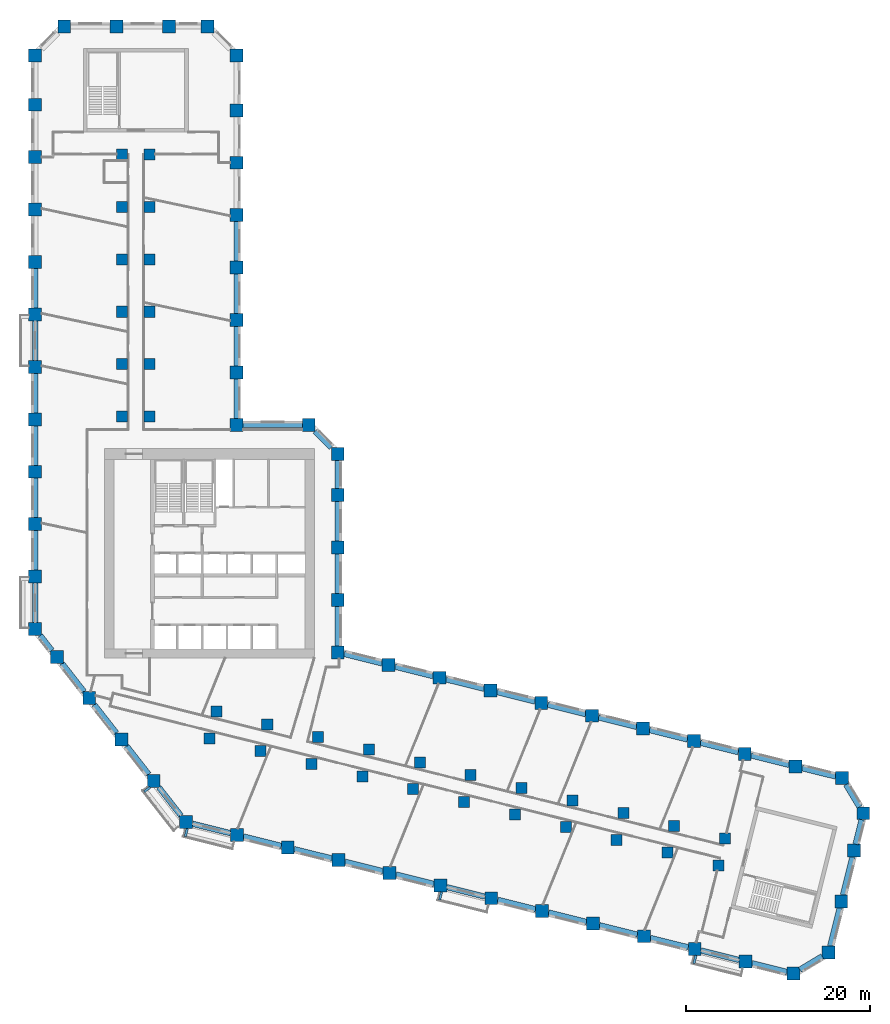
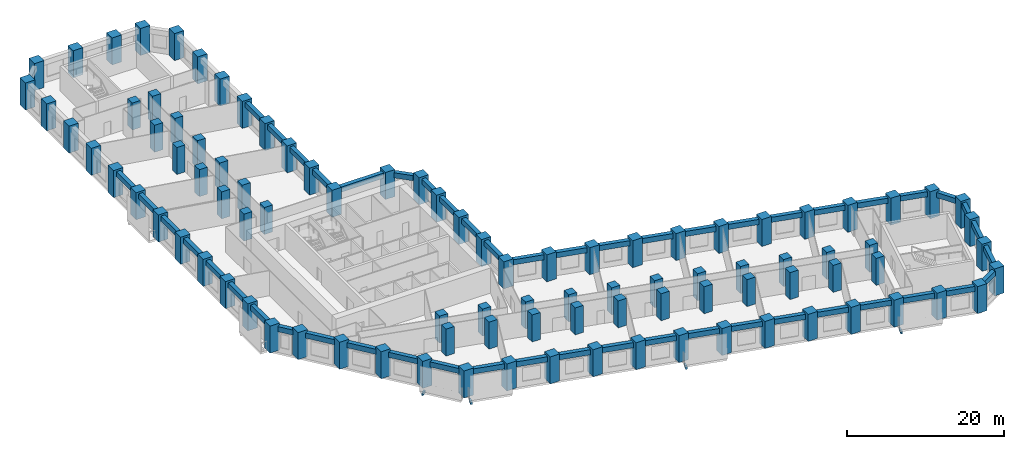
# One storey, part 1 of 11: 95 columns, 53 beams.
"""IFC4 building model written with IfcOpenShell, lengths in metres."""

import ifcopenshell
import ifcopenshell.guid

model = None  # the IFC model being written
_history = None  # IfcOwnerHistory: only IFC2X3 demands one
_inside = {}  # id of a spatial element -> (the spatial element, [elements in it])
_under = {}  # id of a project, library or spatial element -> (it, [spatial elements below it])
_declared = {}  # id of a project -> (the project, [libraries it declares])
_typed = {}  # id of a type object -> (the type object, [elements of that type])
_made_of = {}  # id of a material, layer set ... -> (it, [elements and type objects made of it])


def new_model(schema):
    """Start an empty IFC model of exactly this schema.

    Asked for "IFC4X3", IfcOpenShell would pick the latest addendum, in which some entities
    have other attributes; the version numbers below select the first issue.
    IFC2X3 requires an IfcOwnerHistory on every rooted entity: one is made here for all.
    """
    global model, _history
    if schema == "IFC4X3":
        model = ifcopenshell.file(schema_version=(4, 3, 0, 0))
    else:
        model = ifcopenshell.file(schema=schema)
    _inside.clear()
    _under.clear()
    _declared.clear()
    _typed.clear()
    _made_of.clear()
    _history = None
    if model.schema == "IFC2X3":
        org = make("IfcOrganization", Name="unknown")
        user = make(
            "IfcPersonAndOrganization",
            ThePerson=make("IfcPerson", FamilyName="unknown"),
            TheOrganization=org,
        )
        app = make(
            "IfcApplication",
            ApplicationDeveloper=org,
            Version="unknown",
            ApplicationFullName="unknown",
            ApplicationIdentifier="unknown",
        )
        _history = make(
            "IfcOwnerHistory",
            OwningUser=user,
            OwningApplication=app,
            ChangeAction="ADDED",
            CreationDate=0,
        )
    return model


def make(cls, **values):
    """One entity of the class cls with the attributes given. An attribute that is None is left unset."""
    return model.create_entity(
        cls, **{name: value for name, value in values.items() if value is not None}
    )


def rooted(cls, **values):
    """An entity with a GlobalId (a new one), such as an element, a storey or a relation."""
    return make(cls, GlobalId=ifcopenshell.guid.new(), OwnerHistory=_history, **values)


def si_unit(unit_type, name, prefix=None):
    """IfcSIUnit, for example si_unit("LENGTHUNIT", "METRE", prefix="MILLI")."""
    return make("IfcSIUnit", UnitType=unit_type, Prefix=prefix, Name=name)


def assignment(units):
    """IfcUnitAssignment: the units of a project."""
    return None if units is None else make("IfcUnitAssignment", Units=units)


def point(xyz):
    """IfcCartesianPoint."""
    return None if xyz is None else make("IfcCartesianPoint", Coordinates=xyz)


def direction(xyz):
    """IfcDirection."""
    return None if xyz is None else make("IfcDirection", DirectionRatios=xyz)


def frame(location, z_axis=None, x_axis=None):
    """IfcAxis2Placement3D, a coordinate frame: its origin and axes. An axis left out is left unset."""
    return make(
        "IfcAxis2Placement3D",
        Location=point(location),
        Axis=direction(z_axis),
        RefDirection=direction(x_axis),
    )


def frame_2d(location, x_axis=None):
    """IfcAxis2Placement2D, a coordinate frame in the plane: its origin and x axis."""
    return make(
        "IfcAxis2Placement2D", Location=point(location), RefDirection=direction(x_axis)
    )


def origin():
    """The frame at (0, 0, 0) with its axes left unset."""
    return frame((0.0, 0.0, 0.0))


def origin_2d():
    """The frame at (0, 0) in the plane with its x axis left unset."""
    return frame_2d((0.0, 0.0))


def place(relative_to, where):
    """IfcLocalPlacement: puts the frame where relative to a parent placement (None: the world)."""
    return make(
        "IfcLocalPlacement", PlacementRelTo=relative_to, RelativePlacement=where
    )


def context(
    kind, dimensions, precision=None, world=None, true_north=None, identifier=None
):
    """IfcGeometricRepresentationContext, for example the 3D "Model" context."""
    return make(
        "IfcGeometricRepresentationContext",
        ContextIdentifier=identifier,
        ContextType=kind,
        CoordinateSpaceDimension=dimensions,
        Precision=precision,
        WorldCoordinateSystem=world,
        TrueNorth=true_north,
    )


def subcontext(parent, identifier, kind, view, scale=None):
    """IfcGeometricRepresentationSubContext, for example "Body" below "Model"."""
    return make(
        "IfcGeometricRepresentationSubContext",
        ContextIdentifier=identifier,
        ContextType=kind,
        ParentContext=parent,
        TargetScale=scale,
        TargetView=view,
    )


def project(units=None, contexts=None):
    """IfcProject with its units and contexts."""
    return rooted(
        "IfcProject",
        Name="project",
        RepresentationContexts=contexts,
        UnitsInContext=assignment(units),
    )


def spatial(cls, under=None, at=None, **own):
    """A site, building, storey or space (cls), placed at a placement, below another one or the project."""
    s = rooted(cls, ObjectPlacement=at, **own)
    if under is not None:
        _under.setdefault(under.id(), (under, []))[1].append(s)
    return s


def profile(cls, at=None, kind="AREA", **sizes):
    """A parametric profile (cls). Its sizes go by their IFC names, for example OverallWidth=200.0."""
    return make(cls, ProfileType=kind, Position=at, **sizes)


def rectangle(**sizes):
    """IfcRectangleProfileDef."""
    return profile("IfcRectangleProfileDef", **sizes)


def extrude(swept, where, along, depth):
    """IfcExtrudedAreaSolid: the profile swept, set in the frame where, extruded along a direction by depth."""
    return make(
        "IfcExtrudedAreaSolid",
        SweptArea=swept,
        Position=where,
        ExtrudedDirection=direction(along),
        Depth=depth,
    )


def shape(context_of_items, identifier, shape_type, items):
    """IfcShapeRepresentation: the items that make up one representation, for example the "Body"."""
    return make(
        "IfcShapeRepresentation",
        ContextOfItems=context_of_items,
        RepresentationIdentifier=identifier,
        RepresentationType=shape_type,
        Items=items,
    )


def material(Name=None, Category=None):
    """IfcMaterial."""
    return make("IfcMaterial", Name=Name, Category=Category)


def material_profile(
    of_material, cross_section, Name=None, Category=None, Priority=None
):
    """IfcMaterialProfile: a cross section and its material."""
    return make(
        "IfcMaterialProfile",
        Name=Name,
        Material=of_material,
        Profile=cross_section,
        Priority=Priority,
        Category=Category,
    )


def profile_set(profiles, Name=None, composite=None):
    """IfcMaterialProfileSet."""
    return make(
        "IfcMaterialProfileSet",
        Name=Name,
        MaterialProfiles=profiles,
        CompositeProfile=composite,
    )


def made_of(thing, what):
    """Note that an element or type object is made of a material, layer set ...; save() writes the relation."""
    if what is not None:
        _made_of.setdefault(what.id(), (what, []))[1].append(thing)
    return thing


def type_object(cls, material=None, **own):
    """A type object (cls), such as IfcWallType, which elements share."""
    return made_of(rooted(cls, **own), material)


def element(
    cls,
    number,
    at=None,
    inside=None,
    cuts=None,
    type_object=None,
    material=None,
    context=None,
    identifier="Body",
    shape_type=None,
    held_by="IfcProductDefinitionShape",
    body=None,
    shapes=None,
    **own,
):
    """One element of the class cls, such as IfcWall. Its Tag is "e" and its number.

    at: its placement. inside: the storey or other place that contains it. cuts: it is an
    opening in that element (IfcRelVoidsElement). A single representation is given by context,
    identifier, shape_type and body (its items); several are given by shapes. held_by: the class
    of the entity that holds the representations. save() writes the other relations.
    """
    e = rooted(cls, Tag="e%d" % number, ObjectPlacement=at, **own)
    if body is not None:
        shapes = [shape(context, identifier, shape_type, body)]
    if shapes is not None:
        e.Representation = make(held_by, Representations=shapes)
    if inside is not None:
        _inside.setdefault(inside.id(), (inside, []))[1].append(e)
    if cuts is not None:
        rooted(
            "IfcRelVoidsElement", RelatingBuildingElement=cuts, RelatedOpeningElement=e
        )
    if type_object is not None:
        _typed.setdefault(type_object.id(), (type_object, []))[1].append(e)
    return made_of(e, material)


def aggregate(whole, parts):
    """IfcRelAggregates: a whole, such as a stair, and the parts it consists of."""
    return rooted("IfcRelAggregates", RelatingObject=whole, RelatedObjects=parts)


def save(model, path):
    """Write the relations noted so far, then the file.

    IfcRelAggregates (storeys below a building ...), IfcRelContainedInSpatialStructure (elements
    in a storey), IfcRelDefinesByType, IfcRelAssociatesMaterial and IfcRelDeclares: one each for
    every whole, place, type object, material and project.
    """
    for whole, parts in _under.values():
        aggregate(whole, parts)
    for where, things in _inside.values():
        rooted(
            "IfcRelContainedInSpatialStructure",
            RelatedElements=things,
            RelatingStructure=where,
        )
    for kind, things in _typed.values():
        rooted("IfcRelDefinesByType", RelatedObjects=things, RelatingType=kind)
    for what, things in _made_of.values():
        rooted("IfcRelAssociatesMaterial", RelatedObjects=things, RelatingMaterial=what)
    for by, libraries in _declared.values():
        rooted("IfcRelDeclares", RelatingContext=by, RelatedDefinitions=libraries)
    model.write(path)


model = new_model("IFC4")

# Units and contexts
model_context = context("Model", 3, precision=1e-05, world=origin(), true_north=direction((0.0, 1.0)))
body_context = subcontext(model_context, "Body", "Model", "MODEL_VIEW")
ifc_project = project(units=[si_unit("LENGTHUNIT", "METRE"), si_unit("AREAUNIT", "SQUARE_METRE"), si_unit("VOLUMEUNIT", "CUBIC_METRE"), si_unit("PLANEANGLEUNIT", "RADIAN"), si_unit("MASSUNIT", "GRAM", prefix="KILO")], contexts=[model_context])

# Site, building, storey
site_placement = place(None, origin())
site = spatial("IfcSite", under=ifc_project, at=site_placement, CompositionType="ELEMENT")
building_placement = place(site_placement, origin())
building = spatial("IfcBuilding", under=site, at=building_placement, Name="Meshkara Civic Tower", CompositionType="ELEMENT")
storey_placement = place(building_placement, frame((0.0, 0.0, 37.199951171875)))
storey = spatial("IfcBuildingStorey", under=building, at=storey_placement, Name="L07", CompositionType="ELEMENT", Elevation=37.199951171875)

# Columns
ifc_material_1 = material(Name="Concrete C80", Category="concrete")
ifc_material_profile_1 = material_profile(ifc_material_1, rectangle(XDim=1.199951171875, YDim=1.199951171875, at=origin_2d()))
ifc_profile_set_1 = profile_set([ifc_material_profile_1], Name="Concrete C80")
column_type_1 = type_object("IfcColumnType", Name="Interior column RC 1200x1200 C80", PredefinedType="COLUMN", material=ifc_profile_set_1)
for number, where, z_axis, x_axis, name in (
    (1, (9.89990234375, 40.35009765625, 0.0), (0.0, 0.0, 1.0), (1.0, 0.0, 0.0), "Column SA1-04 L07"),
    (2, (9.89990234375, 46.050048828125, 0.0), (0.0, 0.0, 1.0), (1.0, 0.0, 0.0), "Column SA1-05 L07"),
    (3, (9.89990234375, 51.75, 0.0), (0.0, 0.0, 1.0), (1.0, 0.0, 0.0), "Column SA1-06 L07"),
    (4, (9.89990234375, 57.449951171875, 0.0), (0.0, 0.0, 1.0), (1.0, 0.0, 0.0), "Column SA1-07 L07"),
    (5, (9.89990234375, 63.14990234375, 0.0), (0.0, 0.0, 1.0), (1.0, 0.0, 0.0), "Column SA1-08 L07"),
    (6, (9.89990234375, 68.85009765625, 0.0), (0.0, 0.0, 1.0), (1.0, 0.0, 0.0), "Column SA1-09 L07"),
    (7, (12.89990234375, 40.35009765625, 0.0), (0.0, 0.0, 1.0), (1.0, 0.0, 0.0), "Column SA2-04 L07"),
    (8, (12.89990234375, 46.050048828125, 0.0), (0.0, 0.0, 1.0), (1.0, 0.0, 0.0), "Column SA2-05 L07"),
    (9, (12.89990234375, 51.75, 0.0), (0.0, 0.0, 1.0), (1.0, 0.0, 0.0), "Column SA2-06 L07"),
    (10, (12.89990234375, 57.449951171875, 0.0), (0.0, 0.0, 1.0), (1.0, 0.0, 0.0), "Column SA2-07 L07"),
    (11, (12.89990234375, 63.14990234375, 0.0), (0.0, 0.0, 1.0), (1.0, 0.0, 0.0), "Column SA2-08 L07"),
    (12, (12.89990234375, 68.85009765625, 0.0), (0.0, 0.0, 1.0), (1.0, 0.0, 0.0), "Column SA2-09 L07"),
    (13, (19.424072265625, 5.360107421875, 0.0), (0.0, 0.0, 1.0), (1.0, 0.0, 0.0), "Column SB1-00 L07"),
    (14, (24.9541015625, 3.98095703125, 0.0), (0.0, 0.0, 1.0), (1.0, 0.0, 0.0), "Column SB1-01 L07"),
    (15, (30.485107421875, 2.60205078125, 0.0), (0.0, 0.0, 1.0), (1.0, 0.0, 0.0), "Column SB1-02 L07"),
    (16, (36.01611328125, 1.222900390625, 0.0), (0.0, 0.0, 1.0), (1.0, 0.0, 0.0), "Column SB1-03 L07"),
    (17, (41.5458984375, -0.156005859375, 0.0), (0.0, 0.0, 1.0), (1.0, 0.0, 0.0), "Column SB1-04 L07"),
    (18, (47.076904296875, -1.534912109375, 0.0), (0.0, 0.0, 1.0), (1.0, 0.0, 0.0), "Column SB1-05 L07"),
    (19, (52.60791015625, -2.9140625, 0.0), (0.0, 0.0, 1.0), (1.0, 0.0, 0.0), "Column SB1-06 L07"),
    (20, (58.138916015625, -4.2919921875, 0.0), (0.0, 0.0, 1.0), (1.0, 0.0, 0.0), "Column SB1-07 L07"),
    (21, (63.6689453125, -5.6708984375, 0.0), (0.0, 0.0, 1.0), (1.0, 0.0, 0.0), "Column SB1-08 L07"),
    (22, (69.199951171875, -7.050048828125, 0.0), (0.0, 0.0, 1.0), (1.0, 0.0, 0.0), "Column SB1-09 L07"),
    (23, (74.73095703125, -8.428955078125, 0.0), (0.0, 0.0, 1.0), (1.0, 0.0, 0.0), "Column SB1-10 L07"),
    (24, (20.14892578125, 8.27099609375, 0.0), (0.0, 0.0, 1.0), (1.0, 0.0, 0.0), "Column SB2-00 L07"),
    (25, (25.679931640625, 6.89208984375, 0.0), (0.0, 0.0, 1.0), (1.0, 0.0, 0.0), "Column SB2-01 L07"),
    (26, (31.2109375, 5.512939453125, 0.0), (0.0, 0.0, 1.0), (1.0, 0.0, 0.0), "Column SB2-02 L07"),
    (27, (36.741943359375, 4.134033203125, 0.0), (0.0, 0.0, 1.0), (1.0, 0.0, 0.0), "Column SB2-03 L07"),
    (28, (42.27197265625, 2.7548828125, 0.0), (0.0, 0.0, 1.0), (1.0, 0.0, 0.0), "Column SB2-04 L07"),
    (29, (47.802978515625, 1.3759765625, 0.0), (0.0, 0.0, 1.0), (1.0, 0.0, 0.0), "Column SB2-05 L07"),
    (30, (53.333984375, -0.0029296875, 0.0), (0.0, 0.0, 1.0), (1.0, 0.0, 0.0), "Column SB2-06 L07"),
    (31, (58.864013671875, -1.382080078125, 0.0), (0.0, 0.0, 1.0), (1.0, 0.0, 0.0), "Column SB2-07 L07"),
    (32, (64.39501953125, -2.760986328125, 0.0), (0.0, 0.0, 1.0), (1.0, 0.0, 0.0), "Column SB2-08 L07"),
    (33, (69.926025390625, -4.139892578125, 0.0), (0.0, 0.0, 1.0), (1.0, 0.0, 0.0), "Column SB2-09 L07"),
    (34, (75.4560546875, -5.51806640625, 0.0), (0.0, 0.0, 1.0), (1.0, 0.0, 0.0), "Column SB2-10 L07"),
):
    element("IfcColumn", number, at=place(storey_placement, frame(where, z_axis=z_axis, x_axis=x_axis)), inside=storey, type_object=column_type_1, Name=name, PredefinedType="COLUMN", context=body_context, shape_type="SweptSolid", body=[
        extrude(rectangle(XDim=1.199951171875, YDim=1.199951171875, at=origin_2d()), origin(), (0.0, 0.0, 1.0), 4.199951171875),
    ])
ifc_material_2 = material(Name="Concrete C80", Category="concrete")
ifc_material_profile_2 = material_profile(ifc_material_2, rectangle(XDim=1.39990234375, YDim=1.39990234375, at=origin_2d()))
ifc_profile_set_2 = profile_set([ifc_material_profile_2], Name="Concrete C80")
column_type_2 = type_object("IfcColumnType", Name="Perimeter column RC 1400x1400 C80", PredefinedType="COLUMN", material=ifc_profile_set_2)
for number, where, z_axis, x_axis, name in (
    (35, (33.35009765625, 14.718994140625, 0.0), (0.0, 0.0, 1.0), (1.0, 0.0, 0.0), "Column HE00 L07"),
    (36, (33.35009765625, 20.4189453125, 0.0), (0.0, 0.0, 1.0), (1.0, 0.0, 0.0), "Column HE01 L07"),
    (37, (33.35009765625, 26.118896484375, 0.0), (0.0, 0.0, 1.0), (1.0, 0.0, 0.0), "Column HE02 L07"),
    (38, (33.35009765625, 31.819091796875, 0.0), (0.0, 0.0, 1.0), (1.0, 0.0, 0.0), "Column HE03 L07"),
    (39, (33.35009765625, 36.2939453125, 0.0), (0.0, 0.0, 1.0), (1.0, 0.0, 0.0), "Column HEE L07"),
    (40, (30.194091796875, 39.449951171875, 0.0), (0.0, 0.0, 1.0), (1.0, 0.0, 0.0), "Column HCeE L07"),
    (41, (22.35009765625, 39.449951171875, 0.0), (0.0, 0.0, 1.0), (1.0, 0.0, 0.0), "Column HN00 L07"),
    (42, (22.35009765625, 45.14990234375, 0.0), (0.0, 0.0, 1.0), (1.0, 0.0, 0.0), "Column AE01 L07"),
    (43, (22.35009765625, 50.85009765625, 0.0), (0.0, 0.0, 1.0), (1.0, 0.0, 0.0), "Column AE02 L07"),
    (44, (22.35009765625, 56.550048828125, 0.0), (0.0, 0.0, 1.0), (1.0, 0.0, 0.0), "Column AE03 L07"),
    (45, (22.35009765625, 62.25, 0.0), (0.0, 0.0, 1.0), (1.0, 0.0, 0.0), "Column AE04 L07"),
    (46, (22.35009765625, 67.949951171875, 0.0), (0.0, 0.0, 1.0), (1.0, 0.0, 0.0), "Column AE05 L07"),
    (47, (22.35009765625, 73.64990234375, 0.0), (0.0, 0.0, 1.0), (1.0, 0.0, 0.0), "Column AE06 L07"),
    (48, (22.35009765625, 79.614013671875, 0.0), (0.0, 0.0, 1.0), (1.0, 0.0, 0.0), "Column AEE L07"),
    (49, (19.194091796875, 82.77001953125, 0.0), (0.0, 0.0, 1.0), (1.0, 0.0, 0.0), "Column ATiE L07"),
    (50, (3.60595703125, 82.77001953125, 0.0), (0.0, 0.0, 1.0), (1.0, 0.0, 0.0), "Column AT00 L07"),
    (51, (9.305908203125, 82.77001953125, 0.0), (0.0, 0.0, 1.0), (1.0, 0.0, 0.0), "Column AT01 L07"),
    (52, (15.006103515625, 82.77001953125, 0.0), (0.0, 0.0, 1.0), (1.0, 0.0, 0.0), "Column AT02 L07"),
    (53, (0.449951171875, 79.614013671875, 0.0), (0.0, 0.0, 1.0), (1.0, 0.0, 0.0), "Column ATo00 L07"),
    (54, (0.449951171875, 17.2548828125, 0.0), (0.0, 0.0, 1.0), (1.0, 0.0, 0.0), "Column AW00 L07"),
    (55, (0.449951171875, 22.955078125, 0.0), (0.0, 0.0, 1.0), (1.0, 0.0, 0.0), "Column AW01 L07"),
    (56, (0.449951171875, 28.655029296875, 0.0), (0.0, 0.0, 1.0), (1.0, 0.0, 0.0), "Column AW02 L07"),
    (57, (0.449951171875, 34.35498046875, 0.0), (0.0, 0.0, 1.0), (1.0, 0.0, 0.0), "Column AW03 L07"),
    (58, (0.449951171875, 40.054931640625, 0.0), (0.0, 0.0, 1.0), (1.0, 0.0, 0.0), "Column AW04 L07"),
    (59, (0.449951171875, 45.7548828125, 0.0), (0.0, 0.0, 1.0), (1.0, 0.0, 0.0), "Column AW05 L07"),
    (60, (0.449951171875, 51.455078125, 0.0), (0.0, 0.0, 1.0), (1.0, 0.0, 0.0), "Column AW06 L07"),
    (61, (0.449951171875, 57.155029296875, 0.0), (0.0, 0.0, 1.0), (1.0, 0.0, 0.0), "Column AW07 L07"),
    (62, (0.449951171875, 62.85498046875, 0.0), (0.0, 0.0, 1.0), (1.0, 0.0, 0.0), "Column AW08 L07"),
    (63, (0.449951171875, 68.554931640625, 0.0), (0.0, 0.0, 1.0), (1.0, 0.0, 0.0), "Column AW09 L07"),
    (64, (0.449951171875, 74.2548828125, 0.0), (0.0, 0.0, 1.0), (1.0, 0.0, 0.0), "Column AW10 L07"),
    (65, (16.85107421875, -3.738037109375, 0.0), (0.0, 0.0, 1.0), (1.0, 0.0, 0.0), "Column BOW00 L07"),
    (66, (13.342041015625, 0.75390625, 0.0), (0.0, 0.0, 1.0), (1.0, 0.0, 0.0), "Column BOW01 L07"),
    (67, (9.8330078125, 5.2451171875, 0.0), (0.0, 0.0, 1.0), (1.0, 0.0, 0.0), "Column BOW02 L07"),
    (68, (6.322998046875, 9.737060546875, 0.0), (0.0, 0.0, 1.0), (1.0, 0.0, 0.0), "Column BOW03 L07"),
    (69, (2.81396484375, 14.22900390625, 0.0), (0.0, 0.0, 1.0), (1.0, 0.0, 0.0), "Column BOW04 L07"),
    (70, (22.382080078125, -5.116943359375, 0.0), (0.0, 0.0, 1.0), (1.0, 0.0, 0.0), "Column BS01 L07"),
    (71, (27.912109375, -6.49609375, 0.0), (0.0, 0.0, 1.0), (1.0, 0.0, 0.0), "Column BS02 L07"),
    (72, (33.443115234375, -7.875, 0.0), (0.0, 0.0, 1.0), (1.0, 0.0, 0.0), "Column BS03 L07"),
    (73, (38.97412109375, -9.25390625, 0.0), (0.0, 0.0, 1.0), (1.0, 0.0, 0.0), "Column BS04 L07"),
    (74, (44.5048828125, -10.632080078125, 0.0), (0.0, 0.0, 1.0), (1.0, 0.0, 0.0), "Column BS05 L07"),
    (75, (50.034912109375, -12.010986328125, 0.0), (0.0, 0.0, 1.0), (1.0, 0.0, 0.0), "Column BS06 L07"),
    (76, (55.56591796875, -13.389892578125, 0.0), (0.0, 0.0, 1.0), (1.0, 0.0, 0.0), "Column BS07 L07"),
    (77, (61.096923828125, -14.76904296875, 0.0), (0.0, 0.0, 1.0), (1.0, 0.0, 0.0), "Column BS08 L07"),
    (78, (66.626953125, -16.14794921875, 0.0), (0.0, 0.0, 1.0), (1.0, 0.0, 0.0), "Column BS09 L07"),
    (79, (72.157958984375, -17.527099609375, 0.0), (0.0, 0.0, 1.0), (1.0, 0.0, 0.0), "Column BS10 L07"),
    (80, (77.68896484375, -18.906005859375, 0.0), (0.0, 0.0, 1.0), (1.0, 0.0, 0.0), "Column BS11 L07"),
    (81, (82.887939453125, -20.201904296875, 0.0), (0.0, 0.0, 1.0), (1.0, 0.0, 0.0), "Column BSE L07"),
    (82, (86.714111328125, -17.903076171875, 0.0), (0.0, 0.0, 1.0), (1.0, 0.0, 0.0), "Column BToE L07"),
    (83, (88.093017578125, -12.3720703125, 0.0), (0.0, 0.0, 1.0), (1.0, 0.0, 0.0), "Column BT01 L07"),
    (84, (89.471923828125, -6.842041015625, 0.0), (0.0, 0.0, 1.0), (1.0, 0.0, 0.0), "Column BT02 L07"),
    (85, (90.485107421875, -2.779052734375, 0.0), (0.0, 0.0, 1.0), (1.0, 0.0, 0.0), "Column BTE L07"),
    (86, (88.18603515625, 1.0458984375, 0.0), (0.0, 0.0, 1.0), (1.0, 0.0, 0.0), "Column BTi00 L07"),
    (87, (38.881103515625, 13.340087890625, 0.0), (0.0, 0.0, 1.0), (1.0, 0.0, 0.0), "Column BN01 L07"),
    (88, (44.410888671875, 11.9609375, 0.0), (0.0, 0.0, 1.0), (1.0, 0.0, 0.0), "Column BN02 L07"),
    (89, (49.94189453125, 10.58203125, 0.0), (0.0, 0.0, 1.0), (1.0, 0.0, 0.0), "Column BN03 L07"),
    (90, (55.472900390625, 9.202880859375, 0.0), (0.0, 0.0, 1.0), (1.0, 0.0, 0.0), "Column BN04 L07"),
    (91, (61.0029296875, 7.823974609375, 0.0), (0.0, 0.0, 1.0), (1.0, 0.0, 0.0), "Column BN05 L07"),
    (92, (66.533935546875, 6.445068359375, 0.0), (0.0, 0.0, 1.0), (1.0, 0.0, 0.0), "Column BN06 L07"),
    (93, (72.06494140625, 5.06591796875, 0.0), (0.0, 0.0, 1.0), (1.0, 0.0, 0.0), "Column BN07 L07"),
    (94, (77.594970703125, 3.68701171875, 0.0), (0.0, 0.0, 1.0), (1.0, 0.0, 0.0), "Column BN08 L07"),
    (95, (83.1259765625, 2.30810546875, 0.0), (0.0, 0.0, 1.0), (1.0, 0.0, 0.0), "Column BN09 L07"),
):
    element("IfcColumn", number, at=place(storey_placement, frame(where, z_axis=z_axis, x_axis=x_axis)), inside=storey, type_object=column_type_2, Name=name, PredefinedType="COLUMN", context=body_context, shape_type="SweptSolid", body=[
        extrude(rectangle(XDim=1.39990234375, YDim=1.39990234375, at=origin_2d()), origin(), (0.0, 0.0, 1.0), 4.199951171875),
    ])

# Beams
ifc_material_3 = material(Name="Concrete C50", Category="concrete")
ifc_material_profile_3 = material_profile(ifc_material_3, rectangle(XDim=0.25, YDim=0.39990234375, at=origin_2d()))
ifc_profile_set_3 = profile_set([ifc_material_profile_3], Name="Concrete C50")
beam_type_1 = type_object("IfcBeamType", Name="Balcony bracket beam RC 250x400 C50", PredefinedType="BEAM", material=ifc_profile_set_3)
beam_1_placement = place(storey_placement, frame((12.93701171875, 0.056884765625, -0.5), z_axis=(-0.787973614547, -0.615709008199, 0.0), x_axis=(0.615709008199, -0.787973614547, 0.0)))
element("IfcBeam", 96, at=beam_1_placement, inside=storey, type_object=beam_type_1, Name="Balcony bracket beam", PredefinedType="BEAM", context=body_context, shape_type="SweptSolid", body=[
    extrude(rectangle(XDim=0.25, YDim=0.39990234375, at=origin_2d()), origin(), (0.0, 0.0, 1.0), 0.80224609375),
])
beam_2_placement = place(storey_placement, frame((16.987060546875, -4.43310546875, -0.5), z_axis=(-0.242282530638, -0.97020573867, 0.0), x_axis=(0.97020573867, -0.242282530638, 0.0)))
element("IfcBeam", 97, at=beam_2_placement, inside=storey, type_object=beam_type_1, Name="Balcony bracket beam", PredefinedType="BEAM", context=body_context, shape_type="SweptSolid", body=[
    extrude(rectangle(XDim=0.25, YDim=0.39990234375, at=origin_2d()), origin(), (0.0, 0.0, 1.0), 0.907958984375),
])
for number, where, z_axis, x_axis, name in (
    (98, (44.64111328125, -11.326904296875, -0.5), (-0.24221968719, -0.970221429952, 0.0), (0.970221429952, -0.24221968719, 0.0), "Balcony bracket beam"),
    (99, (72.2939453125, -18.221923828125, -0.5), (-0.241966881417, -0.970284508944, 0.0), (0.970284508944, -0.241966881417, 0.0), "Balcony bracket beam"),
):
    element("IfcBeam", number, at=place(storey_placement, frame(where, z_axis=z_axis, x_axis=x_axis)), inside=storey, type_object=beam_type_1, Name=name, PredefinedType="BEAM", context=body_context, shape_type="SweptSolid", body=[
        extrude(rectangle(XDim=0.25, YDim=0.39990234375, at=origin_2d()), origin(), (0.0, 0.0, 1.0), 0.9091796875),
    ])
ifc_material_4 = material(Name="Concrete C70", Category="concrete")
ifc_material_profile_4 = material_profile(ifc_material_4, rectangle(XDim=0.60009765625, YDim=0.800048828125, at=origin_2d()))
ifc_profile_set_4 = profile_set([ifc_material_profile_4], Name="Concrete C70")
beam_type_2 = type_object("IfcBeamType", Name="Spandrel beam RC 600x800 C70", PredefinedType="BEAM", material=ifc_profile_set_4)
beam_3_placement = place(storey_placement, frame((82.430908203125, 2.481201171875, 3.5), z_axis=(-0.97029374225, 0.241929852955, 0.0), x_axis=(-0.241929852955, -0.97029374225, 0.0)))
element("IfcBeam", 100, at=beam_3_placement, inside=storey, type_object=beam_type_2, Name="Spandrel beam BN08-BN09", PredefinedType="BEAM", context=body_context, shape_type="SweptSolid", body=[
    extrude(rectangle(XDim=0.60009765625, YDim=0.800048828125, at=origin_2d()), origin(), (0.0, 0.0, 1.0), 4.267578125),
])
beam_4_placement = place(storey_placement, frame((76.89990234375, 3.8603515625, 3.5), z_axis=(-0.970293777887, 0.241929710026, 0.0), x_axis=(-0.241929710026, -0.970293777887, 0.0)))
element("IfcBeam", 101, at=beam_4_placement, inside=storey, type_object=beam_type_2, Name="Spandrel beam BN07-BN08", PredefinedType="BEAM", context=body_context, shape_type="SweptSolid", body=[
    extrude(rectangle(XDim=0.60009765625, YDim=0.800048828125, at=origin_2d()), origin(), (0.0, 0.0, 1.0), 4.2666015625),
])
for number, where, z_axis, x_axis, name in (
    (102, (71.369873046875, 5.2392578125, 3.5), (-0.97029374225, 0.241929852955, 0.0), (-0.241929852955, -0.97029374225, 0.0), "Spandrel beam BN06-BN07"),
    (103, (65.8388671875, 6.618408203125, 3.5), (-0.970307169965, 0.241875992843, 0.0), (-0.241875992843, -0.970307169965, 0.0), "Spandrel beam BN05-BN06"),
):
    element("IfcBeam", number, at=place(storey_placement, frame(where, z_axis=z_axis, x_axis=x_axis)), inside=storey, type_object=beam_type_2, Name=name, PredefinedType="BEAM", context=body_context, shape_type="SweptSolid", body=[
        extrude(rectangle(XDim=0.60009765625, YDim=0.800048828125, at=origin_2d()), origin(), (0.0, 0.0, 1.0), 4.267578125),
    ])
beam_5_placement = place(storey_placement, frame((60.307861328125, 7.997314453125, 3.5), z_axis=(-0.970276993533, 0.241997016139, 0.0), x_axis=(-0.241997016139, -0.970276993533, 0.0)))
element("IfcBeam", 104, at=beam_5_placement, inside=storey, type_object=beam_type_2, Name="Spandrel beam BN04-BN05", PredefinedType="BEAM", context=body_context, shape_type="SweptSolid", body=[
    extrude(rectangle(XDim=0.60009765625, YDim=0.800048828125, at=origin_2d()), origin(), (0.0, 0.0, 1.0), 4.266357421875),
])
for number, where, z_axis, x_axis, name in (
    (105, (54.77783203125, 9.376220703125, 3.5), (-0.970290393622, 0.241943282702, 0.0), (-0.241943282702, -0.970290393622, 0.0), "Spandrel beam BN03-BN04"),
    (106, (49.246826171875, 10.75537109375, 3.5), (-0.970303822782, 0.241889419972, 0.0), (-0.241889419972, -0.970303822782, 0.0), "Spandrel beam BN02-BN03"),
):
    element("IfcBeam", number, at=place(storey_placement, frame(where, z_axis=z_axis, x_axis=x_axis)), inside=storey, type_object=beam_type_2, Name=name, PredefinedType="BEAM", context=body_context, shape_type="SweptSolid", body=[
        extrude(rectangle(XDim=0.60009765625, YDim=0.800048828125, at=origin_2d()), origin(), (0.0, 0.0, 1.0), 4.267333984375),
    ])
beam_6_placement = place(storey_placement, frame((43.7158203125, 12.13427734375, 3.5), z_axis=(-0.970276993533, 0.241997016139, 0.0), x_axis=(-0.241997016139, -0.970276993533, 0.0)))
element("IfcBeam", 107, at=beam_6_placement, inside=storey, type_object=beam_type_2, Name="Spandrel beam BN01-BN02", PredefinedType="BEAM", context=body_context, shape_type="SweptSolid", body=[
    extrude(rectangle(XDim=0.60009765625, YDim=0.800048828125, at=origin_2d()), origin(), (0.0, 0.0, 1.0), 4.266357421875),
])
beam_7_placement = place(storey_placement, frame((38.185791015625, 13.51318359375, 3.5), z_axis=(-0.970290393622, 0.241943282702, 0.0), x_axis=(-0.241943282702, -0.970290393622, 0.0)))
element("IfcBeam", 108, at=beam_7_placement, inside=storey, type_object=beam_type_2, Name="Spandrel beam BN01-HE00", PredefinedType="BEAM", context=body_context, shape_type="SweptSolid", body=[
    extrude(rectangle(XDim=0.60009765625, YDim=0.800048828125, at=origin_2d()), origin(), (0.0, 0.0, 1.0), 4.267333984375),
])
for number, where, z_axis, x_axis, name in (
    (109, (33.35009765625, 15.4140625, 3.5), (0.0, 1.0, 0.0), (-1.0, 0.0, 0.0), "Spandrel beam HE00-HE01"),
    (110, (33.35009765625, 21.114013671875, 3.5), (0.0, 1.0, 0.0), (-1.0, 0.0, 0.0), "Spandrel beam HE01-HE02"),
    (111, (33.35009765625, 26.81396484375, 3.5), (0.0, 1.0, 0.0), (-1.0, 0.0, 0.0), "Spandrel beam HE02-HE03"),
):
    element("IfcBeam", number, at=place(storey_placement, frame(where, z_axis=z_axis, x_axis=x_axis)), inside=storey, type_object=beam_type_2, Name=name, PredefinedType="BEAM", context=body_context, shape_type="SweptSolid", body=[
        extrude(rectangle(XDim=0.60009765625, YDim=0.800048828125, at=origin_2d()), origin(), (0.0, 0.0, 1.0), 4.31005859375),
    ])
beam_8_placement = place(storey_placement, frame((33.35009765625, 32.513916015625, 3.5), z_axis=(0.0, 1.0, 0.0), x_axis=(-1.0, 0.0, 0.0)))
element("IfcBeam", 112, at=beam_8_placement, inside=storey, type_object=beam_type_2, Name="Spandrel beam HE03-HEE", PredefinedType="BEAM", context=body_context, shape_type="SweptSolid", body=[
    extrude(rectangle(XDim=0.60009765625, YDim=0.800048828125, at=origin_2d()), origin(), (0.0, 0.0, 1.0), 3.085205078125),
])
beam_9_placement = place(storey_placement, frame((32.653564453125, 36.990478515625, 3.5), z_axis=(-0.707155737934, 0.70705782105, 0.0), x_axis=(-0.70705782105, -0.707155737934, 0.0)))
element("IfcBeam", 113, at=beam_9_placement, inside=storey, type_object=beam_type_2, Name="Spandrel beam HCeE-HEE", PredefinedType="BEAM", context=body_context, shape_type="SweptSolid", body=[
    extrude(rectangle(XDim=0.60009765625, YDim=0.800048828125, at=origin_2d()), origin(), (0.0, 0.0, 1.0), 2.493408203125),
])
beam_10_placement = place(storey_placement, frame((29.4990234375, 39.449951171875, 3.5), z_axis=(-1.0, 0.0, 0.0), x_axis=(0.0, -1.0, 0.0)))
element("IfcBeam", 114, at=beam_10_placement, inside=storey, type_object=beam_type_2, Name="Spandrel beam HCeE-HN00", PredefinedType="BEAM", context=body_context, shape_type="SweptSolid", body=[
    extrude(rectangle(XDim=0.60009765625, YDim=0.800048828125, at=origin_2d()), origin(), (0.0, 0.0, 1.0), 6.4541015625),
])
for number, where, z_axis, x_axis, name in (
    (115, (22.35009765625, 40.14501953125, 3.5), (0.0, 1.0, 0.0), (-1.0, 0.0, 0.0), "Spandrel beam AE01-HN00"),
    (116, (22.35009765625, 45.844970703125, 3.5), (0.0, 1.0, 0.0), (-1.0, 0.0, 0.0), "Spandrel beam AE01-AE02"),
    (117, (22.35009765625, 51.544921875, 3.5), (0.0, 1.0, 0.0), (-1.0, 0.0, 0.0), "Spandrel beam AE02-AE03"),
):
    element("IfcBeam", number, at=place(storey_placement, frame(where, z_axis=z_axis, x_axis=x_axis)), inside=storey, type_object=beam_type_2, Name=name, PredefinedType="BEAM", context=body_context, shape_type="SweptSolid", body=[
        extrude(rectangle(XDim=0.60009765625, YDim=0.800048828125, at=origin_2d()), origin(), (0.0, 0.0, 1.0), 4.31005859375),
    ])
beam_11_placement = place(storey_placement, frame((22.35009765625, 57.2451171875, 3.5), z_axis=(0.0, 1.0, 0.0), x_axis=(-1.0, 0.0, 0.0)))
element("IfcBeam", 118, at=beam_11_placement, inside=storey, type_object=beam_type_2, Name="Spandrel beam AE03-AE04", PredefinedType="BEAM", context=body_context, shape_type="SweptSolid", body=[
    extrude(rectangle(XDim=0.60009765625, YDim=0.800048828125, at=origin_2d()), origin(), (0.0, 0.0, 1.0), 4.309814453125),
])
for number, where, z_axis, x_axis, name in (
    (119, (0.449951171875, 56.4599609375, 3.5), (0.0, -1.0, 0.0), (1.0, 0.0, 0.0), "Spandrel beam AW06-AW07"),
    (120, (0.449951171875, 50.760009765625, 3.5), (0.0, -1.0, 0.0), (1.0, 0.0, 0.0), "Spandrel beam AW05-AW06"),
    (121, (0.449951171875, 45.06005859375, 3.5), (0.0, -1.0, 0.0), (1.0, 0.0, 0.0), "Spandrel beam AW04-AW05"),
    (122, (0.449951171875, 39.360107421875, 3.5), (0.0, -1.0, 0.0), (1.0, 0.0, 0.0), "Spandrel beam AW03-AW04"),
):
    element("IfcBeam", number, at=place(storey_placement, frame(where, z_axis=z_axis, x_axis=x_axis)), inside=storey, type_object=beam_type_2, Name=name, PredefinedType="BEAM", context=body_context, shape_type="SweptSolid", body=[
        extrude(rectangle(XDim=0.60009765625, YDim=0.800048828125, at=origin_2d()), origin(), (0.0, 0.0, 1.0), 4.31005859375),
    ])
beam_12_placement = place(storey_placement, frame((0.449951171875, 33.659912109375, 3.5), z_axis=(0.0, -1.0, 0.0), x_axis=(1.0, 0.0, 0.0)))
element("IfcBeam", 123, at=beam_12_placement, inside=storey, type_object=beam_type_2, Name="Spandrel beam AW02-AW03", PredefinedType="BEAM", context=body_context, shape_type="SweptSolid", body=[
    extrude(rectangle(XDim=0.60009765625, YDim=0.800048828125, at=origin_2d()), origin(), (0.0, 0.0, 1.0), 4.309814453125),
])
for number, where, z_axis, x_axis, name in (
    (124, (0.449951171875, 27.9599609375, 3.5), (0.0, -1.0, 0.0), (1.0, 0.0, 0.0), "Spandrel beam AW01-AW02"),
    (125, (0.449951171875, 22.260009765625, 3.5), (0.0, -1.0, 0.0), (1.0, 0.0, 0.0), "Spandrel beam AW00-AW01"),
):
    element("IfcBeam", number, at=place(storey_placement, frame(where, z_axis=z_axis, x_axis=x_axis)), inside=storey, type_object=beam_type_2, Name=name, PredefinedType="BEAM", context=body_context, shape_type="SweptSolid", body=[
        extrude(rectangle(XDim=0.60009765625, YDim=0.800048828125, at=origin_2d()), origin(), (0.0, 0.0, 1.0), 4.31005859375),
    ])
beam_13_placement = place(storey_placement, frame((0.993896484375, 16.558837890625, 3.5), z_axis=(0.615634901283, -0.788031514803, 0.0), x_axis=(0.788031514803, 0.615634901283, 0.0)))
element("IfcBeam", 126, at=beam_13_placement, inside=storey, type_object=beam_type_2, Name="Spandrel beam AW00-BOW04", PredefinedType="BEAM", context=body_context, shape_type="SweptSolid", body=[
    extrude(rectangle(XDim=0.60009765625, YDim=0.800048828125, at=origin_2d()), origin(), (0.0, 0.0, 1.0), 2.0732421875),
])
beam_14_placement = place(storey_placement, frame((3.357666015625, 13.532958984375, 3.5), z_axis=(0.615623566685, -0.788040369614, 0.0), x_axis=(0.788040369614, 0.615623566685, 0.0)))
element("IfcBeam", 127, at=beam_14_placement, inside=storey, type_object=beam_type_2, Name="Spandrel beam BOW03-BOW04", PredefinedType="BEAM", context=body_context, shape_type="SweptSolid", body=[
    extrude(rectangle(XDim=0.60009765625, YDim=0.800048828125, at=origin_2d()), origin(), (0.0, 0.0, 1.0), 3.93359375),
])
beam_15_placement = place(storey_placement, frame((6.866943359375, 9.041015625, 3.5), z_axis=(0.61570064363, -0.787980150406, 0.0), x_axis=(0.787980150406, 0.61570064363, 0.0)))
element("IfcBeam", 128, at=beam_15_placement, inside=storey, type_object=beam_type_2, Name="Spandrel beam BOW02-BOW03", PredefinedType="BEAM", context=body_context, shape_type="SweptSolid", body=[
    extrude(rectangle(XDim=0.60009765625, YDim=0.800048828125, at=origin_2d()), origin(), (0.0, 0.0, 1.0), 3.933837890625),
])
beam_16_placement = place(storey_placement, frame((10.376953125, 4.548828125, 3.5), z_axis=(0.615697051917, -0.787982956834, 0.0), x_axis=(0.787982956834, 0.615697051917, 0.0)))
element("IfcBeam", 129, at=beam_16_placement, inside=storey, type_object=beam_type_2, Name="Spandrel beam BOW01-BOW02", PredefinedType="BEAM", context=body_context, shape_type="SweptSolid", body=[
    extrude(rectangle(XDim=0.60009765625, YDim=0.800048828125, at=origin_2d()), origin(), (0.0, 0.0, 1.0), 3.932373046875),
])
beam_17_placement = place(storey_placement, frame((13.8857421875, 0.057861328125, 3.5), z_axis=(0.615623566685, -0.788040369614, 0.0), x_axis=(0.788040369614, 0.615623566685, 0.0)))
element("IfcBeam", 130, at=beam_17_placement, inside=storey, type_object=beam_type_2, Name="Spandrel beam BOW00-BOW01", PredefinedType="BEAM", context=body_context, shape_type="SweptSolid", body=[
    extrude(rectangle(XDim=0.60009765625, YDim=0.800048828125, at=origin_2d()), origin(), (0.0, 0.0, 1.0), 3.93359375),
])
beam_18_placement = place(storey_placement, frame((17.546142578125, -3.911376953125, 3.5), z_axis=(0.970307169965, -0.241875992843, 0.0), x_axis=(0.241875992843, 0.970307169965, 0.0)))
element("IfcBeam", 131, at=beam_18_placement, inside=storey, type_object=beam_type_2, Name="Spandrel beam BOW00-BS01", PredefinedType="BEAM", context=body_context, shape_type="SweptSolid", body=[
    extrude(rectangle(XDim=0.60009765625, YDim=0.800048828125, at=origin_2d()), origin(), (0.0, 0.0, 1.0), 4.267578125),
])
beam_19_placement = place(storey_placement, frame((23.0771484375, -5.290283203125, 3.5), z_axis=(0.970276993533, -0.241997016139, 0.0), x_axis=(0.241997016139, 0.970276993533, 0.0)))
element("IfcBeam", 132, at=beam_19_placement, inside=storey, type_object=beam_type_2, Name="Spandrel beam BS01-BS02", PredefinedType="BEAM", context=body_context, shape_type="SweptSolid", body=[
    extrude(rectangle(XDim=0.60009765625, YDim=0.800048828125, at=origin_2d()), origin(), (0.0, 0.0, 1.0), 4.266357421875),
])
for number, where, z_axis, x_axis, name in (
    (133, (28.607177734375, -6.669189453125, 3.5), (0.970290393622, -0.241943282702, 0.0), (0.241943282702, 0.970290393622, 0.0), "Spandrel beam BS02-BS03"),
    (134, (34.13818359375, -8.04833984375, 3.5), (0.970290393622, -0.241943282702, 0.0), (0.241943282702, 0.970290393622, 0.0), "Spandrel beam BS03-BS04"),
):
    element("IfcBeam", number, at=place(storey_placement, frame(where, z_axis=z_axis, x_axis=x_axis)), inside=storey, type_object=beam_type_2, Name=name, PredefinedType="BEAM", context=body_context, shape_type="SweptSolid", body=[
        extrude(rectangle(XDim=0.60009765625, YDim=0.800048828125, at=origin_2d()), origin(), (0.0, 0.0, 1.0), 4.267333984375),
    ])
beam_20_placement = place(storey_placement, frame((39.669189453125, -9.42724609375, 3.5), z_axis=(0.97034409455, -0.241727818365, 0.0), x_axis=(0.241727818365, 0.97034409455, 0.0)))
element("IfcBeam", 135, at=beam_20_placement, inside=storey, type_object=beam_type_2, Name="Spandrel beam BS04-BS05", PredefinedType="BEAM", context=body_context, shape_type="SweptSolid", body=[
    extrude(rectangle(XDim=0.60009765625, YDim=0.800048828125, at=origin_2d()), origin(), (0.0, 0.0, 1.0), 4.26708984375),
])
beam_21_placement = place(storey_placement, frame((45.2001953125, -10.805419921875, 3.5), z_axis=(0.970290428474, -0.241943142934, 0.0), x_axis=(0.241943142934, 0.970290428474, 0.0)))
element("IfcBeam", 136, at=beam_21_placement, inside=storey, type_object=beam_type_2, Name="Spandrel beam BS05-BS06", PredefinedType="BEAM", context=body_context, shape_type="SweptSolid", body=[
    extrude(rectangle(XDim=0.60009765625, YDim=0.800048828125, at=origin_2d()), origin(), (0.0, 0.0, 1.0), 4.266357421875),
])
for number, where, z_axis, x_axis, name in (
    (137, (50.72998046875, -12.184326171875, 3.5), (0.97029374225, -0.241929852955, 0.0), (0.241929852955, 0.97029374225, 0.0), "Spandrel beam BS06-BS07"),
    (138, (56.260986328125, -13.563232421875, 3.5), (0.97029374225, -0.241929852955, 0.0), (0.241929852955, 0.97029374225, 0.0), "Spandrel beam BS07-BS08"),
):
    element("IfcBeam", number, at=place(storey_placement, frame(where, z_axis=z_axis, x_axis=x_axis)), inside=storey, type_object=beam_type_2, Name=name, PredefinedType="BEAM", context=body_context, shape_type="SweptSolid", body=[
        extrude(rectangle(XDim=0.60009765625, YDim=0.800048828125, at=origin_2d()), origin(), (0.0, 0.0, 1.0), 4.267578125),
    ])
beam_22_placement = place(storey_placement, frame((61.7919921875, -14.9423828125, 3.5), z_axis=(0.970293777887, -0.241929710026, 0.0), x_axis=(0.241929710026, 0.970293777887, 0.0)))
element("IfcBeam", 139, at=beam_22_placement, inside=storey, type_object=beam_type_2, Name="Spandrel beam BS08-BS09", PredefinedType="BEAM", context=body_context, shape_type="SweptSolid", body=[
    extrude(rectangle(XDim=0.60009765625, YDim=0.800048828125, at=origin_2d()), origin(), (0.0, 0.0, 1.0), 4.2666015625),
])
for number, where, z_axis, x_axis, name in (
    (140, (67.322021484375, -16.3212890625, 3.5), (0.97029374225, -0.241929852955, 0.0), (0.241929852955, 0.97029374225, 0.0), "Spandrel beam BS09-BS10"),
    (141, (72.85302734375, -17.7001953125, 3.5), (0.97029374225, -0.241929852955, 0.0), (0.241929852955, 0.97029374225, 0.0), "Spandrel beam BS10-BS11"),
):
    element("IfcBeam", number, at=place(storey_placement, frame(where, z_axis=z_axis, x_axis=x_axis)), inside=storey, type_object=beam_type_2, Name=name, PredefinedType="BEAM", context=body_context, shape_type="SweptSolid", body=[
        extrude(rectangle(XDim=0.60009765625, YDim=0.800048828125, at=origin_2d()), origin(), (0.0, 0.0, 1.0), 4.267578125),
    ])
beam_23_placement = place(storey_placement, frame((78.384033203125, -19.079345703125, 3.5), z_axis=(0.970306910921, -0.241877032022, 0.0), x_axis=(0.241877032022, 0.970306910921, 0.0)))
element("IfcBeam", 142, at=beam_23_placement, inside=storey, type_object=beam_type_2, Name="Spandrel beam BS11-BSE", PredefinedType="BEAM", context=body_context, shape_type="SweptSolid", body=[
    extrude(rectangle(XDim=0.60009765625, YDim=0.800048828125, at=origin_2d()), origin(), (0.0, 0.0, 1.0), 3.92529296875),
])
beam_24_placement = place(storey_placement, frame((83.583740234375, -19.783935546875, 3.5), z_axis=(0.857159031547, 0.515051836846, 0.0), x_axis=(-0.515051836846, 0.857159031547, 0.0)))
element("IfcBeam", 143, at=beam_24_placement, inside=storey, type_object=beam_type_2, Name="Spandrel beam BSE-BToE", PredefinedType="BEAM", context=body_context, shape_type="SweptSolid", body=[
    extrude(rectangle(XDim=0.60009765625, YDim=0.800048828125, at=origin_2d()), origin(), (0.0, 0.0, 1.0), 2.84033203125),
])
beam_25_placement = place(storey_placement, frame((86.88720703125, -17.2080078125, 3.5), z_axis=(0.241929852955, 0.97029374225, 0.0), x_axis=(-0.97029374225, 0.241929852955, 0.0)))
element("IfcBeam", 144, at=beam_25_placement, inside=storey, type_object=beam_type_2, Name="Spandrel beam BT01-BToE", PredefinedType="BEAM", context=body_context, shape_type="SweptSolid", body=[
    extrude(rectangle(XDim=0.60009765625, YDim=0.800048828125, at=origin_2d()), origin(), (0.0, 0.0, 1.0), 4.267578125),
])
beam_26_placement = place(storey_placement, frame((88.266357421875, -11.677001953125, 3.5), z_axis=(0.241929710026, 0.970293777887, 0.0), x_axis=(-0.970293777887, 0.241929710026, 0.0)))
element("IfcBeam", 145, at=beam_26_placement, inside=storey, type_object=beam_type_2, Name="Spandrel beam BT01-BT02", PredefinedType="BEAM", context=body_context, shape_type="SweptSolid", body=[
    extrude(rectangle(XDim=0.60009765625, YDim=0.800048828125, at=origin_2d()), origin(), (0.0, 0.0, 1.0), 4.2666015625),
])
beam_27_placement = place(storey_placement, frame((89.645263671875, -6.14697265625, 3.5), z_axis=(0.241951685637, 0.9702882983, 0.0), x_axis=(-0.9702882983, 0.241951685637, 0.0)))
element("IfcBeam", 146, at=beam_27_placement, inside=storey, type_object=beam_type_2, Name="Spandrel beam BT02-BTE", PredefinedType="BEAM", context=body_context, shape_type="SweptSolid", body=[
    extrude(rectangle(XDim=0.60009765625, YDim=0.800048828125, at=origin_2d()), origin(), (0.0, 0.0, 1.0), 2.754638671875),
])
beam_28_placement = place(storey_placement, frame((90.06689453125, -2.083251953125, 3.5), z_axis=(-0.515140502895, 0.85710574743, 0.0), x_axis=(-0.85710574743, -0.515140502895, 0.0)))
element("IfcBeam", 147, at=beam_28_placement, inside=storey, type_object=beam_type_2, Name="Spandrel beam BTE-BTi00", PredefinedType="BEAM", context=body_context, shape_type="SweptSolid", body=[
    extrude(rectangle(XDim=0.60009765625, YDim=0.800048828125, at=origin_2d()), origin(), (0.0, 0.0, 1.0), 2.83935546875),
])
beam_29_placement = place(storey_placement, frame((87.490966796875, 1.219482421875, 3.5), z_axis=(-0.97029418893, 0.241928061476, 0.0), x_axis=(-0.241928061476, -0.97029418893, 0.0)))
element("IfcBeam", 148, at=beam_29_placement, inside=storey, type_object=beam_type_2, Name="Spandrel beam BN09-BTi00", PredefinedType="BEAM", context=body_context, shape_type="SweptSolid", body=[
    extrude(rectangle(XDim=0.60009765625, YDim=0.800048828125, at=origin_2d()), origin(), (0.0, 0.0, 1.0), 3.7822265625),
])

save(model, "model.ifc")
